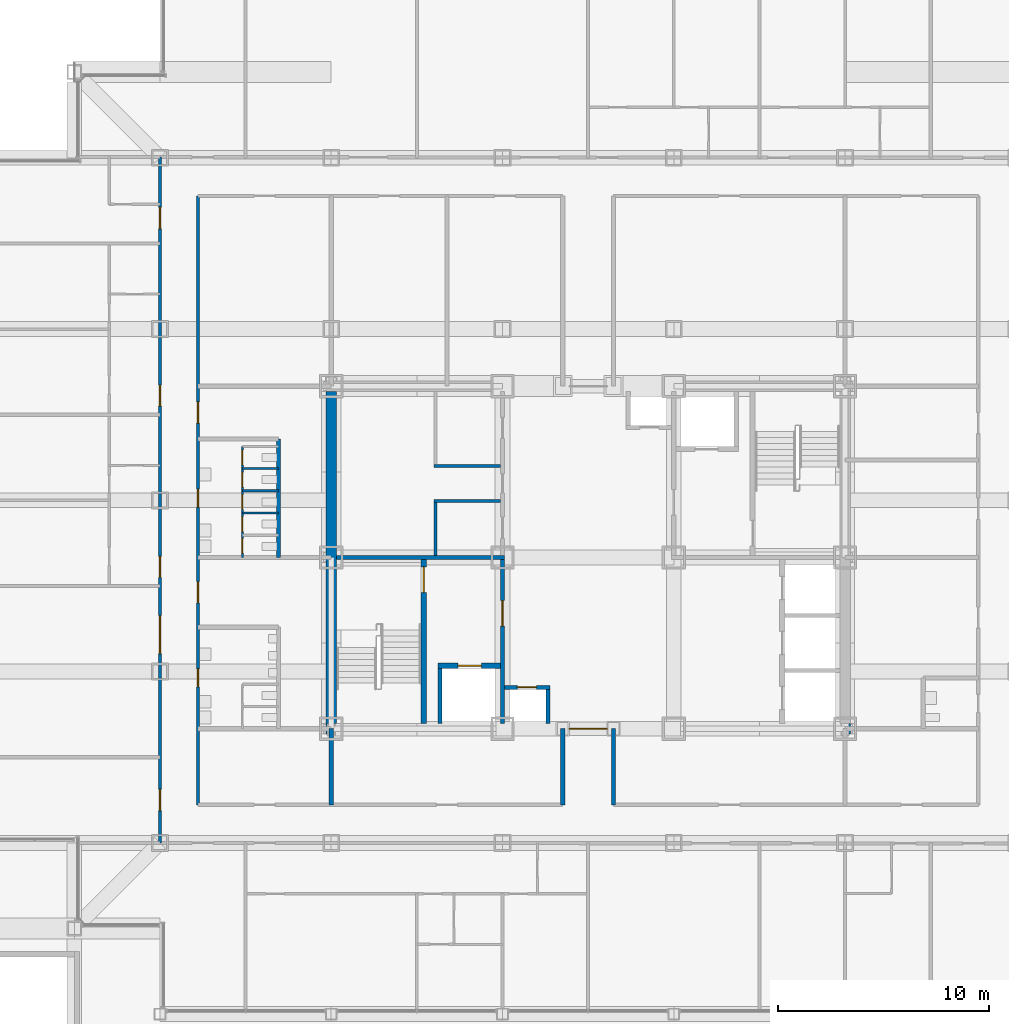
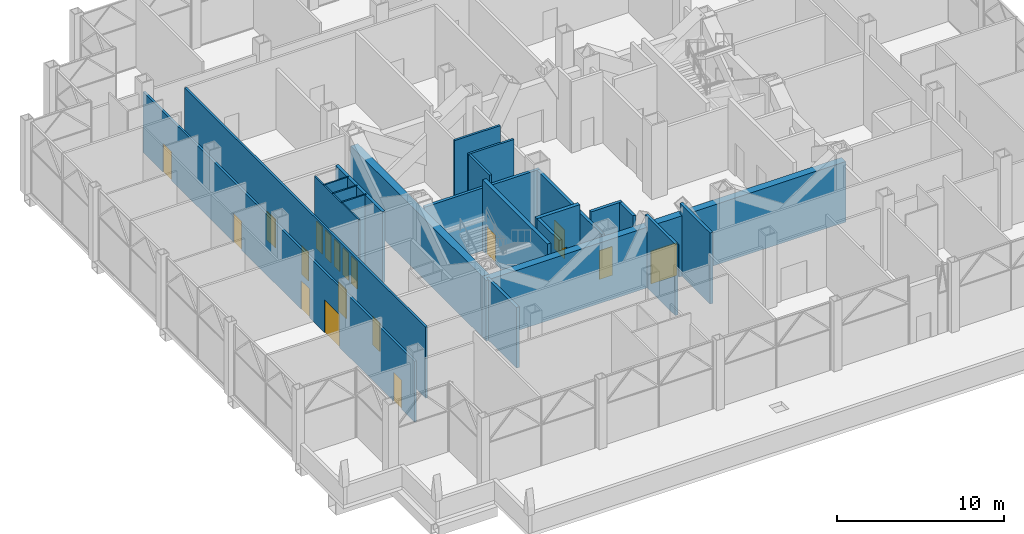
# One storey, part 22 of 29: 22 walls, 19 doors, 19 openings.
"""IFC4 building model written with IfcOpenShell, lengths in metres."""

from ifc_helpers import new_model, si_unit, direction, frame, frame_2d, origin, place, context, subcontext, project, spatial, rectangle, extrude, material, layer, layer_set, type_object, element, fill, save


model = new_model("IFC4")

# Units and contexts
model_context = context("Model", 3, precision=1e-05, world=origin(), true_north=direction((0.0, 1.0)))
body_context = subcontext(model_context, "Body", "Model", "MODEL_VIEW")
ifc_project = project(units=[si_unit("LENGTHUNIT", "METRE"), si_unit("AREAUNIT", "SQUARE_METRE"), si_unit("VOLUMEUNIT", "CUBIC_METRE"), si_unit("PLANEANGLEUNIT", "RADIAN"), si_unit("MASSUNIT", "GRAM", prefix="KILO")], contexts=[model_context])

# Site, building, storey
site_placement = place(None, origin())
site = spatial("IfcSite", under=ifc_project, at=site_placement, CompositionType="ELEMENT")
building_placement = place(site_placement, origin())
building = spatial("IfcBuilding", under=site, at=building_placement, Name="Kopane Lantern Tower", CompositionType="ELEMENT")
storey_placement = place(building_placement, frame((0.0, 0.0, 165.0)))
storey = spatial("IfcBuildingStorey", under=building, at=storey_placement, Name="L42", CompositionType="ELEMENT", Elevation=165.0)

# Wall, openings, doors
ifc_material_1 = material(Name="Moisture-resistant board on steel studs", Category="steel")
ifc_layer_1 = layer(ifc_material_1, 0.10009765625)
ifc_layer_set_1 = layer_set([ifc_layer_1], Name="BATHROOM WALL 100")
wall_type_1 = type_object("IfcWallType", Name="BATHROOM WALL 100", PredefinedType="PARTITIONING", material=ifc_layer_set_1)
wall_1_placement = place(storey_placement, frame((12.0, 32.39990234375, 0.0), z_axis=(0.0, 0.0, 1.0), x_axis=(0.0, 1.0, 0.0)))
wall_1 = element("IfcWall", 1, at=wall_1_placement, inside=storey, type_object=wall_type_1, Name="Bathroom Wall 100 L42", PredefinedType="PARTITIONING", context=body_context, shape_type="SweptSolid", body=[
    extrude(rectangle(XDim=5.25, YDim=0.10009765625, at=frame_2d((2.625, 0.0))), origin(), (0.0, 0.0, 1.0), 5.18994140625),
])
opening_1_placement = place(wall_1_placement, frame((0.199951171875, 0.0, 0.0)))
opening_1 = element("IfcOpeningElement", 2, at=opening_1_placement, cuts=wall_1, Name="Opening L42-068", PredefinedType="OPENING", context=body_context, shape_type="SweptSolid", body=[
    extrude(rectangle(XDim=0.699951171875, YDim=2.0, at=frame_2d((0.35009765625, 1.0))), frame((0.0, 0.06005859375, 0.0), z_axis=(0.0, -1.0, 0.0), x_axis=(1.0, 0.0, 0.0)), (0.0, 0.0, 1.0), 0.1201171875),
])
opening_2_placement = place(wall_1_placement, frame((1.22509765625, 0.0, 0.0)))
opening_2 = element("IfcOpeningElement", 3, at=opening_2_placement, cuts=wall_1, Name="Opening L42-069", PredefinedType="OPENING", context=body_context, shape_type="SweptSolid", body=[
    extrude(rectangle(XDim=0.699951171875, YDim=2.0, at=frame_2d((0.35009765625, 1.0))), frame((0.0, 0.06005859375, 0.0), z_axis=(0.0, -1.0, 0.0), x_axis=(1.0, 0.0, 0.0)), (0.0, 0.0, 1.0), 0.1201171875),
])
opening_3_placement = place(wall_1_placement, frame((2.27490234375, 0.0, 0.0)))
opening_3 = element("IfcOpeningElement", 4, at=opening_3_placement, cuts=wall_1, Name="Opening L42-070", PredefinedType="OPENING", context=body_context, shape_type="SweptSolid", body=[
    extrude(rectangle(XDim=0.699951171875, YDim=2.0, at=frame_2d((0.35009765625, 1.0))), frame((0.0, 0.06005859375, 0.0), z_axis=(0.0, -1.0, 0.0), x_axis=(1.0, 0.0, 0.0)), (0.0, 0.0, 1.0), 0.1201171875),
])
opening_4_placement = place(wall_1_placement, frame((3.324951171875, 0.0, 0.0)))
opening_4 = element("IfcOpeningElement", 5, at=opening_4_placement, cuts=wall_1, Name="Opening L42-071", PredefinedType="OPENING", context=body_context, shape_type="SweptSolid", body=[
    extrude(rectangle(XDim=0.699951171875, YDim=2.0, at=frame_2d((0.35009765625, 1.0))), frame((0.0, 0.06005859375, 0.0), z_axis=(0.0, -1.0, 0.0), x_axis=(1.0, 0.0, 0.0)), (0.0, 0.0, 1.0), 0.1201171875),
])
opening_5_placement = place(wall_1_placement, frame((4.375, 0.0, 0.0)))
opening_5 = element("IfcOpeningElement", 6, at=opening_5_placement, cuts=wall_1, Name="Opening L42-072", PredefinedType="OPENING", context=body_context, shape_type="SweptSolid", body=[
    extrude(rectangle(XDim=0.699951171875, YDim=2.0, at=frame_2d((0.35009765625, 1.0))), frame((0.0, 0.06005859375, 0.0), z_axis=(0.0, -1.0, 0.0), x_axis=(1.0, 0.0, 0.0)), (0.0, 0.0, 1.0), 0.1201171875),
])
ifc_material_2 = material(Name="Timber door set", Category="wood")
door_type_1 = type_object("IfcDoorType", Name="DOOR D13 700x2000 WC CUBICLE", OperationType="SINGLE_SWING_LEFT", PredefinedType="DOOR", material=ifc_material_2)
door_1_placement = place(opening_1_placement, origin())
door_1 = element("IfcDoor", 7, at=door_1_placement, inside=storey, type_object=door_type_1, Name="Door L42-068", OperationType="SINGLE_SWING_LEFT", OverallHeight=2.0, OverallWidth=0.699951171875, PredefinedType="DOOR", context=body_context, shape_type="SweptSolid", body=[
    extrude(rectangle(XDim=0.699951171875, YDim=2.0, at=frame_2d((0.35009765625, 1.0))), frame((0.0, 0.02490234375, 0.0), z_axis=(0.0, -1.0, 0.0), x_axis=(1.0, 0.0, 0.0)), (0.0, 0.0, 1.0), 0.050048828125),
])
fill(opening_1, door_1)
door_2_placement = place(opening_2_placement, origin())
door_2 = element("IfcDoor", 8, at=door_2_placement, inside=storey, type_object=door_type_1, Name="Door L42-069", OperationType="SINGLE_SWING_RIGHT", OverallHeight=2.0, OverallWidth=0.699951171875, PredefinedType="DOOR", context=body_context, shape_type="SweptSolid", body=[
    extrude(rectangle(XDim=0.699951171875, YDim=2.0, at=frame_2d((0.35009765625, 1.0))), frame((0.0, 0.02490234375, 0.0), z_axis=(0.0, -1.0, 0.0), x_axis=(1.0, 0.0, 0.0)), (0.0, 0.0, 1.0), 0.050048828125),
])
fill(opening_2, door_2)
door_3_placement = place(opening_3_placement, origin())
door_3 = element("IfcDoor", 9, at=door_3_placement, inside=storey, type_object=door_type_1, Name="Door L42-070", OperationType="SINGLE_SWING_LEFT", OverallHeight=2.0, OverallWidth=0.699951171875, PredefinedType="DOOR", context=body_context, shape_type="SweptSolid", body=[
    extrude(rectangle(XDim=0.699951171875, YDim=2.0, at=frame_2d((0.35009765625, 1.0))), frame((0.0, 0.02490234375, 0.0), z_axis=(0.0, -1.0, 0.0), x_axis=(1.0, 0.0, 0.0)), (0.0, 0.0, 1.0), 0.050048828125),
])
fill(opening_3, door_3)
door_4_placement = place(opening_4_placement, origin())
door_4 = element("IfcDoor", 10, at=door_4_placement, inside=storey, type_object=door_type_1, Name="Door L42-071", OperationType="SINGLE_SWING_RIGHT", OverallHeight=2.0, OverallWidth=0.699951171875, PredefinedType="DOOR", context=body_context, shape_type="SweptSolid", body=[
    extrude(rectangle(XDim=0.699951171875, YDim=2.0, at=frame_2d((0.35009765625, 1.0))), frame((0.0, 0.02490234375, 0.0), z_axis=(0.0, -1.0, 0.0), x_axis=(1.0, 0.0, 0.0)), (0.0, 0.0, 1.0), 0.050048828125),
])
fill(opening_4, door_4)
door_5_placement = place(opening_5_placement, origin())
door_5 = element("IfcDoor", 11, at=door_5_placement, inside=storey, type_object=door_type_1, Name="Door L42-072", OperationType="SINGLE_SWING_LEFT", OverallHeight=2.0, OverallWidth=0.699951171875, PredefinedType="DOOR", context=body_context, shape_type="SweptSolid", body=[
    extrude(rectangle(XDim=0.699951171875, YDim=2.0, at=frame_2d((0.35009765625, 1.0))), frame((0.0, 0.02490234375, 0.0), z_axis=(0.0, -1.0, 0.0), x_axis=(1.0, 0.0, 0.0)), (0.0, 0.0, 1.0), 0.050048828125),
])
fill(opening_5, door_5)

# Walls
for number, where, z_axis, x_axis, name in (
    (12, (12.0, 34.5, 0.0), (0.0, 0.0, 1.0), (1.0, 0.0, 0.0), "Bathroom Wall 100 L42"),
    (13, (12.0, 35.550048828125, 0.0), (0.0, 0.0, 1.0), (1.0, 0.0, 0.0), "Bathroom Wall 100 L42"),
    (14, (12.0, 36.60009765625, 0.0), (0.0, 0.0, 1.0), (1.0, 0.0, 0.0), "Bathroom Wall 100 L42"),
):
    element("IfcWall", number, at=place(storey_placement, frame(where, z_axis=z_axis, x_axis=x_axis)), inside=storey, type_object=wall_type_1, Name=name, PredefinedType="PARTITIONING", context=body_context, shape_type="SweptSolid", body=[
        extrude(rectangle(XDim=1.699951171875, YDim=0.10009765625, at=frame_2d((0.85009765625, 0.0))), origin(), (0.0, 0.0, 1.0), 5.18994140625),
    ])

# Wall, opening, door
ifc_material_3 = material(Name="Gypsum shaft wall EI 120", Category="gypsum")
ifc_layer_2 = layer(ifc_material_3, 0.5)
ifc_layer_set_2 = layer_set([ifc_layer_2], Name="CORE PERIMETER WALL 500 EI 120")
wall_type_2 = type_object("IfcWallType", Name="CORE PERIMETER WALL 500 EI 120", PredefinedType="SOLIDWALL", material=ifc_layer_set_2)
wall_2_placement = place(storey_placement, frame((15.949951171875, 24.300048828125, 0.0), z_axis=(0.0, 0.0, 1.0), x_axis=(1.0, 0.0, 0.0)))
wall_2 = element("IfcWall", 15, at=wall_2_placement, inside=storey, type_object=wall_type_2, Name="Core shaft wall L42 PS", PredefinedType="SOLIDWALL", context=body_context, shape_type="SweptSolid", body=[
    extrude(rectangle(XDim=24.800048828125, YDim=0.5, at=frame_2d((12.39990234375, 0.0))), origin(), (0.0, 0.0, 1.0), 4.420166015625),
])
opening_6_placement = place(wall_2_placement, frame((11.5, 0.0, 0.0)))
opening_6 = element("IfcOpeningElement", 16, at=opening_6_placement, cuts=wall_2, Name="Opening 42.CE-S", PredefinedType="OPENING", context=body_context, shape_type="SweptSolid", body=[
    extrude(rectangle(XDim=1.800048828125, YDim=2.39990234375, at=frame_2d((0.89990234375, 1.199951171875))), frame((0.0, 0.260009765625, 0.0), z_axis=(0.0, -1.0, 0.0), x_axis=(1.0, 0.0, 0.0)), (0.0, 0.0, 1.0), 0.52001953125),
])
ifc_material_4 = material(Name="Steel door set", Category="steel")
door_type_2 = type_object("IfcDoorType", Name="CORE ENTRY DOOR 1800x2400 FD60S", OperationType="DOUBLE_DOOR_SINGLE_SWING", PredefinedType="DOOR", material=ifc_material_4)
door_6_placement = place(opening_6_placement, origin())
door_6 = element("IfcDoor", 17, at=door_6_placement, inside=storey, type_object=door_type_2, Name="Core entry door L42 south", OperationType="DOUBLE_DOOR_SINGLE_SWING", OverallHeight=2.39990234375, OverallWidth=1.800048828125, PredefinedType="DOOR", context=body_context, shape_type="SweptSolid", body=[
    extrude(rectangle(XDim=1.800048828125, YDim=2.39990234375, at=frame_2d((0.89990234375, 1.199951171875))), frame((0.0, 0.02490234375, 0.0), z_axis=(0.0, -1.0, 0.0), x_axis=(1.0, 0.0, 0.0)), (0.0, 0.0, 1.0), 0.050048828125),
])
fill(opening_6, door_6)

# Walls
wall_3_placement = place(storey_placement, frame((16.199951171875, 24.550048828125, 0.0), z_axis=(0.0, 0.0, 1.0), x_axis=(0.0, 1.0, 0.0)))
element("IfcWall", 18, at=wall_3_placement, inside=storey, type_object=wall_type_2, Name="Core shaft wall L42 PW", PredefinedType="SOLIDWALL", context=body_context, shape_type="SweptSolid", body=[
    extrude(rectangle(XDim=15.699951171875, YDim=0.5, at=frame_2d((7.85009765625, 0.0))), origin(), (0.0, 0.0, 1.0), 4.420166015625),
])
ifc_material_5 = material(Name="Gypsum partition EI 60", Category="gypsum")
ifc_layer_3 = layer(ifc_material_5, 0.14990234375)
ifc_layer_set_3 = layer_set([ifc_layer_3], Name="CORE ROOM PARTITION 150 EI 60")
wall_type_3 = type_object("IfcWallType", Name="CORE ROOM PARTITION 150 EI 60", PredefinedType="PARTITIONING", material=ifc_layer_set_3)
for number, where, z_axis, x_axis, name in (
    (19, (21.050048828125, 35.074951171875, 0.0), (0.0, 0.0, 1.0), (1.0, 0.0, 0.0), "Core room partition L42 WW1"),
    (20, (21.050048828125, 36.72509765625, 0.0), (0.0, 0.0, 1.0), (1.0, 0.0, 0.0), "Core room partition L42 WW2"),
):
    element("IfcWall", number, at=place(storey_placement, frame(where, z_axis=z_axis, x_axis=x_axis)), inside=storey, type_object=wall_type_3, Name=name, PredefinedType="PARTITIONING", context=body_context, shape_type="SweptSolid", body=[
        extrude(rectangle(XDim=3.14990234375, YDim=0.14990234375, at=frame_2d((1.574951171875, 0.0))), origin(), (0.0, 0.0, 1.0), 5.18994140625),
    ])
wall_4_placement = place(storey_placement, frame((21.125, 32.5, 0.0), z_axis=(0.0, 0.0, 1.0), x_axis=(0.0, 1.0, 0.0)))
element("IfcWall", 21, at=wall_4_placement, inside=storey, type_object=wall_type_3, Name="Core room partition L42 WWB0", PredefinedType="PARTITIONING", context=body_context, shape_type="SweptSolid", body=[
    extrude(rectangle(XDim=2.5, YDim=0.14990234375, at=frame_2d((1.25, 0.0))), origin(), (0.0, 0.0, 1.0), 5.18994140625),
])

# Wall, opening, door
ifc_material_6 = material(Name="Gypsum shaft wall EI 120", Category="gypsum")
ifc_layer_4 = layer(ifc_material_6, 0.25)
ifc_layer_set_4 = layer_set([ifc_layer_4], Name="CORE SHAFT WALL 250 EI 120")
wall_type_4 = type_object("IfcWallType", Name="CORE SHAFT WALL 250 EI 120", PredefinedType="SOLIDWALL", material=ifc_layer_set_4)
wall_5_placement = place(storey_placement, frame((20.574951171875, 24.550048828125, 0.0), z_axis=(0.0, 0.0, 1.0), x_axis=(0.0, 1.0, 0.0)))
wall_5 = element("IfcWall", 22, at=wall_5_placement, inside=storey, type_object=wall_type_4, Name="Core shaft wall L42 XST1", PredefinedType="SOLIDWALL", context=body_context, shape_type="SweptSolid", body=[
    extrude(rectangle(XDim=7.75, YDim=0.25, at=frame_2d((3.875, 0.0))), origin(), (0.0, 0.0, 1.0), 5.18994140625),
])
opening_7_placement = place(wall_5_placement, frame((6.199951171875, 0.0, 0.0)))
opening_7 = element("IfcOpeningElement", 23, at=opening_7_placement, cuts=wall_5, Name="Opening 42.SD1", PredefinedType="OPENING", context=body_context, shape_type="SweptSolid", body=[
    extrude(rectangle(XDim=1.199951171875, YDim=2.10009765625, at=frame_2d((0.60009765625, 1.050048828125))), frame((0.0, 0.135009765625, 0.0), z_axis=(0.0, -1.0, 0.0), x_axis=(1.0, 0.0, 0.0)), (0.0, 0.0, 1.0), 0.27001953125),
])
ifc_material_7 = material(Name="Steel door set", Category="steel")
door_type_3 = type_object("IfcDoorType", Name="STAIR DOOR 1200x2100 FD60S", OperationType="SINGLE_SWING_LEFT", PredefinedType="DOOR", material=ifc_material_7)
door_7_placement = place(opening_7_placement, origin())
door_7 = element("IfcDoor", 24, at=door_7_placement, inside=storey, type_object=door_type_3, Name="Stair door ST1 L42", OperationType="SINGLE_SWING_LEFT", OverallHeight=2.10009765625, OverallWidth=1.199951171875, PredefinedType="DOOR", context=body_context, shape_type="SweptSolid", body=[
    extrude(rectangle(XDim=1.199951171875, YDim=2.10009765625, at=frame_2d((0.60009765625, 1.050048828125))), frame((0.0, 0.02490234375, 0.0), z_axis=(0.0, -1.0, 0.0), x_axis=(1.0, 0.0, 0.0)), (0.0, 0.0, 1.0), 0.050048828125),
])
fill(opening_7, door_7)

wall_6_placement = place(storey_placement, frame((21.25, 27.27490234375, 0.0), z_axis=(0.0, 0.0, 1.0), x_axis=(1.0, 0.0, 0.0)))
wall_6 = element("IfcWall", 25, at=wall_6_placement, inside=storey, type_object=wall_type_4, Name="Core shaft wall L42 YLF1", PredefinedType="SOLIDWALL", context=body_context, shape_type="SweptSolid", body=[
    extrude(rectangle(XDim=2.949951171875, YDim=0.25, at=frame_2d((1.47509765625, 0.0))), origin(), (0.0, 0.0, 1.0), 5.18994140625),
])
opening_8_placement = place(wall_6_placement, frame((0.949951171875, 0.0, 0.0)))
opening_8 = element("IfcOpeningElement", 26, at=opening_8_placement, cuts=wall_6, Name="Opening 42.LD-LF1", PredefinedType="OPENING", context=body_context, shape_type="SweptSolid", body=[
    extrude(rectangle(XDim=1.10009765625, YDim=2.39990234375, at=frame_2d((0.550048828125, 1.199951171875))), frame((0.0, 0.135009765625, 0.0), z_axis=(0.0, -1.0, 0.0), x_axis=(1.0, 0.0, 0.0)), (0.0, 0.0, 1.0), 0.27001953125),
])
ifc_material_8 = material(Name="Steel door set", Category="steel")
door_type_4 = type_object("IfcDoorType", Name="LIFT LANDING DOOR 1100x2400 FD60", OperationType="DOUBLE_DOOR_SLIDING", PredefinedType="DOOR", material=ifc_material_8)
door_8_placement = place(opening_8_placement, origin())
door_8 = element("IfcDoor", 27, at=door_8_placement, inside=storey, type_object=door_type_4, Name="Landing door LF1 L42", OperationType="DOUBLE_DOOR_SLIDING", OverallHeight=2.39990234375, OverallWidth=1.10009765625, PredefinedType="DOOR", context=body_context, shape_type="SweptSolid", body=[
    extrude(rectangle(XDim=1.10009765625, YDim=2.39990234375, at=frame_2d((0.550048828125, 1.199951171875))), frame((0.0, 0.02490234375, 0.0), z_axis=(0.0, -1.0, 0.0), x_axis=(1.0, 0.0, 0.0)), (0.0, 0.0, 1.0), 0.050048828125),
])
fill(opening_8, door_8)

# Wall, openings, doors
ifc_material_9 = material(Name="Gypsum board on steel studs", Category="steel")
ifc_layer_5 = layer(ifc_material_9, 0.14990234375)
ifc_layer_set_5 = layer_set([ifc_layer_5], Name="CORRIDOR WALL 150 EI 60")
wall_type_5 = type_object("IfcWallType", Name="CORRIDOR WALL 150 EI 60", PredefinedType="PARTITIONING", material=ifc_layer_set_5)
wall_7_placement = place(storey_placement, frame((8.10009765625, 18.89990234375, 0.0), z_axis=(0.0, 0.0, 1.0), x_axis=(0.0, 1.0, 0.0)))
wall_7 = element("IfcWall", 28, at=wall_7_placement, inside=storey, type_object=wall_type_5, Name="Corridor Wall 150 Ei 60 L42", PredefinedType="PARTITIONING", context=body_context, shape_type="SweptSolid", body=[
    extrude(rectangle(XDim=32.43017578125, YDim=0.14990234375, at=frame_2d((16.215087890625, 0.0))), origin(), (0.0, 0.0, 1.0), 4.420166015625),
])
opening_9_placement = place(wall_7_placement, frame((1.52490234375, 0.0, 0.0)))
opening_9 = element("IfcOpeningElement", 29, at=opening_9_placement, cuts=wall_7, Name="Opening L42-038", PredefinedType="OPENING", context=body_context, shape_type="SweptSolid", body=[
    extrude(rectangle(XDim=1.0, YDim=2.10009765625, at=frame_2d((0.5, 1.050048828125))), frame((0.0, 0.0849609375, 0.0), z_axis=(0.0, -1.0, 0.0), x_axis=(1.0, 0.0, 0.0)), (0.0, 0.0, 1.0), 0.169921875),
])
opening_10_placement = place(wall_7_placement, frame((8.949951171875, 0.0, 0.0)))
opening_10 = element("IfcOpeningElement", 30, at=opening_10_placement, cuts=wall_7, Name="Opening L42-039", PredefinedType="OPENING", context=body_context, shape_type="SweptSolid", body=[
    extrude(rectangle(XDim=1.800048828125, YDim=2.39990234375, at=frame_2d((0.89990234375, 1.199951171875))), frame((0.0, 0.0849609375, 0.0), z_axis=(0.0, -1.0, 0.0), x_axis=(1.0, 0.0, 0.0)), (0.0, 0.0, 1.0), 0.169921875),
])
opening_11_placement = place(wall_7_placement, frame((12.550048828125, 0.0, 0.0)))
opening_11 = element("IfcOpeningElement", 31, at=opening_11_placement, cuts=wall_7, Name="Opening L42-041", PredefinedType="OPENING", context=body_context, shape_type="SweptSolid", body=[
    extrude(rectangle(XDim=1.0, YDim=2.10009765625, at=frame_2d((0.5, 1.050048828125))), frame((0.0, 0.0849609375, 0.0), z_axis=(0.0, -1.0, 0.0), x_axis=(1.0, 0.0, 0.0)), (0.0, 0.0, 1.0), 0.169921875),
])
opening_12_placement = place(wall_7_placement, frame((20.64990234375, 0.0, 0.0)))
opening_12 = element("IfcOpeningElement", 32, at=opening_12_placement, cuts=wall_7, Name="Opening L42-045", PredefinedType="OPENING", context=body_context, shape_type="SweptSolid", body=[
    extrude(rectangle(XDim=1.0, YDim=2.10009765625, at=frame_2d((0.5, 1.050048828125))), frame((0.0, 0.0849609375, 0.0), z_axis=(0.0, -1.0, 0.0), x_axis=(1.0, 0.0, 0.0)), (0.0, 0.0, 1.0), 0.169921875),
])
opening_13_placement = place(wall_7_placement, frame((29.050048828125, 0.0, 0.0)))
opening_13 = element("IfcOpeningElement", 33, at=opening_13_placement, cuts=wall_7, Name="Opening L42-049", PredefinedType="OPENING", context=body_context, shape_type="SweptSolid", body=[
    extrude(rectangle(XDim=1.0, YDim=2.10009765625, at=frame_2d((0.5, 1.050048828125))), frame((0.0, 0.0849609375, 0.0), z_axis=(0.0, -1.0, 0.0), x_axis=(1.0, 0.0, 0.0)), (0.0, 0.0, 1.0), 0.169921875),
])
ifc_material_10 = material(Name="Steel door set", Category="steel")
door_type_5 = type_object("IfcDoorType", Name="DOOR D3 1000x2100 FD30S", OperationType="SINGLE_SWING_LEFT", PredefinedType="DOOR", material=ifc_material_10)
door_9_placement = place(opening_11_placement, origin())
door_9 = element("IfcDoor", 34, at=door_9_placement, inside=storey, type_object=door_type_5, Name="Door L42-041", OperationType="SINGLE_SWING_LEFT", OverallHeight=2.10009765625, OverallWidth=1.0, PredefinedType="DOOR", context=body_context, shape_type="SweptSolid", body=[
    extrude(rectangle(XDim=1.0, YDim=2.10009765625, at=frame_2d((0.5, 1.050048828125))), frame((0.0, 0.02490234375, 0.0), z_axis=(0.0, -1.0, 0.0), x_axis=(1.0, 0.0, 0.0)), (0.0, 0.0, 1.0), 0.050048828125),
])
fill(opening_11, door_9)
door_10_placement = place(opening_12_placement, origin())
door_10 = element("IfcDoor", 35, at=door_10_placement, inside=storey, type_object=door_type_5, Name="Door L42-045", OperationType="SINGLE_SWING_LEFT", OverallHeight=2.10009765625, OverallWidth=1.0, PredefinedType="DOOR", context=body_context, shape_type="SweptSolid", body=[
    extrude(rectangle(XDim=1.0, YDim=2.10009765625, at=frame_2d((0.5, 1.050048828125))), frame((0.0, 0.02490234375, 0.0), z_axis=(0.0, -1.0, 0.0), x_axis=(1.0, 0.0, 0.0)), (0.0, 0.0, 1.0), 0.050048828125),
])
fill(opening_12, door_10)
door_11_placement = place(opening_13_placement, origin())
door_11 = element("IfcDoor", 36, at=door_11_placement, inside=storey, type_object=door_type_5, Name="Door L42-049", OperationType="SINGLE_SWING_RIGHT", OverallHeight=2.10009765625, OverallWidth=1.0, PredefinedType="DOOR", context=body_context, shape_type="SweptSolid", body=[
    extrude(rectangle(XDim=1.0, YDim=2.10009765625, at=frame_2d((0.5, 1.050048828125))), frame((0.0, 0.02490234375, 0.0), z_axis=(0.0, -1.0, 0.0), x_axis=(1.0, 0.0, 0.0)), (0.0, 0.0, 1.0), 0.050048828125),
])
fill(opening_13, door_11)
ifc_material_11 = material(Name="Steel door set", Category="steel")
door_type_6 = type_object("IfcDoorType", Name="DOOR D5 1000x2100 FD60", OperationType="SINGLE_SWING_LEFT", PredefinedType="DOOR", material=ifc_material_11)
door_12_placement = place(opening_9_placement, origin())
door_12 = element("IfcDoor", 37, at=door_12_placement, inside=storey, type_object=door_type_6, Name="Door L42-038", OperationType="SINGLE_SWING_LEFT", OverallHeight=2.10009765625, OverallWidth=1.0, PredefinedType="DOOR", context=body_context, shape_type="SweptSolid", body=[
    extrude(rectangle(XDim=1.0, YDim=2.10009765625, at=frame_2d((0.5, 1.050048828125))), frame((0.0, 0.02490234375, 0.0), z_axis=(0.0, -1.0, 0.0), x_axis=(1.0, 0.0, 0.0)), (0.0, 0.0, 1.0), 0.050048828125),
])
fill(opening_9, door_12)
ifc_material_12 = material(Name="Steel door set", Category="steel")
door_type_7 = type_object("IfcDoorType", Name="DOOR D6 1800x2400 FD30S", OperationType="SINGLE_SWING_LEFT", PredefinedType="DOOR", material=ifc_material_12)
door_13_placement = place(opening_10_placement, origin())
door_13 = element("IfcDoor", 38, at=door_13_placement, inside=storey, type_object=door_type_7, Name="Door L42-039", OperationType="DOUBLE_DOOR_SINGLE_SWING", OverallHeight=2.39990234375, OverallWidth=1.800048828125, PredefinedType="DOOR", context=body_context, shape_type="SweptSolid", body=[
    extrude(rectangle(XDim=1.800048828125, YDim=2.39990234375, at=frame_2d((0.89990234375, 1.199951171875))), frame((0.0, 0.02490234375, 0.0), z_axis=(0.0, -1.0, 0.0), x_axis=(1.0, 0.0, 0.0)), (0.0, 0.0, 1.0), 0.050048828125),
])
fill(opening_10, door_13)

wall_8_placement = place(storey_placement, frame((9.89990234375, 49.5, 0.0), z_axis=(0.0, 0.0, 1.0), x_axis=(0.0, -1.0, 0.0)))
wall_8 = element("IfcWall", 39, at=wall_8_placement, inside=storey, type_object=wall_type_5, Name="Corridor Wall 150 Ei 60 L42", PredefinedType="PARTITIONING", context=body_context, shape_type="SweptSolid", body=[
    extrude(rectangle(XDim=28.800048828125, YDim=0.14990234375, at=frame_2d((14.39990234375, 0.0))), origin(), (0.0, 0.0, 1.0), 5.18994140625),
])
opening_14_placement = place(wall_8_placement, frame((22.375, 0.0, 0.0)))
opening_14 = element("IfcOpeningElement", 40, at=opening_14_placement, cuts=wall_8, Name="Opening L42-001", PredefinedType="OPENING", context=body_context, shape_type="SweptSolid", body=[
    extrude(rectangle(XDim=0.85009765625, YDim=2.10009765625, at=frame_2d((0.425048828125, 1.050048828125))), frame((0.0, 0.0849609375, 0.0), z_axis=(0.0, -1.0, 0.0), x_axis=(1.0, 0.0, 0.0)), (0.0, 0.0, 1.0), 0.169921875),
])
opening_15_placement = place(wall_8_placement, frame((18.25, 0.0, 0.0)))
opening_15 = element("IfcOpeningElement", 41, at=opening_15_placement, cuts=wall_8, Name="Opening L42-002", PredefinedType="OPENING", context=body_context, shape_type="SweptSolid", body=[
    extrude(rectangle(XDim=1.0, YDim=2.10009765625, at=frame_2d((0.5, 1.050048828125))), frame((0.0, 0.0849609375, 0.0), z_axis=(0.0, -1.0, 0.0), x_axis=(1.0, 0.0, 0.0)), (0.0, 0.0, 1.0), 0.169921875),
])
opening_16_placement = place(wall_8_placement, frame((13.875, 0.0, 0.0)))
opening_16 = element("IfcOpeningElement", 42, at=opening_16_placement, cuts=wall_8, Name="Opening L42-003", PredefinedType="OPENING", context=body_context, shape_type="SweptSolid", body=[
    extrude(rectangle(XDim=0.85009765625, YDim=2.10009765625, at=frame_2d((0.425048828125, 1.050048828125))), frame((0.0, 0.0849609375, 0.0), z_axis=(0.0, -1.0, 0.0), x_axis=(1.0, 0.0, 0.0)), (0.0, 0.0, 1.0), 0.169921875),
])
opening_17_placement = place(wall_8_placement, frame((9.75, 0.0, 0.0)))
opening_17 = element("IfcOpeningElement", 43, at=opening_17_placement, cuts=wall_8, Name="Opening L42-004", PredefinedType="OPENING", context=body_context, shape_type="SweptSolid", body=[
    extrude(rectangle(XDim=1.0, YDim=2.10009765625, at=frame_2d((0.5, 1.050048828125))), frame((0.0, 0.0849609375, 0.0), z_axis=(0.0, -1.0, 0.0), x_axis=(1.0, 0.0, 0.0)), (0.0, 0.0, 1.0), 0.169921875),
])
ifc_material_13 = material(Name="Timber door set", Category="wood")
door_type_8 = type_object("IfcDoorType", Name="DOOR D4 850x2100", OperationType="SINGLE_SWING_LEFT", PredefinedType="DOOR", material=ifc_material_13)
door_14_placement = place(opening_14_placement, origin())
door_14 = element("IfcDoor", 44, at=door_14_placement, inside=storey, type_object=door_type_8, Name="Door L42-001", OperationType="SINGLE_SWING_RIGHT", OverallHeight=2.10009765625, OverallWidth=0.85009765625, PredefinedType="DOOR", context=body_context, shape_type="SweptSolid", body=[
    extrude(rectangle(XDim=0.85009765625, YDim=2.10009765625, at=frame_2d((0.425048828125, 1.050048828125))), frame((0.0, 0.02490234375, 0.0), z_axis=(0.0, -1.0, 0.0), x_axis=(1.0, 0.0, 0.0)), (0.0, 0.0, 1.0), 0.050048828125),
])
fill(opening_14, door_14)
door_15_placement = place(opening_16_placement, origin())
door_15 = element("IfcDoor", 45, at=door_15_placement, inside=storey, type_object=door_type_8, Name="Door L42-003", OperationType="SINGLE_SWING_RIGHT", OverallHeight=2.10009765625, OverallWidth=0.85009765625, PredefinedType="DOOR", context=body_context, shape_type="SweptSolid", body=[
    extrude(rectangle(XDim=0.85009765625, YDim=2.10009765625, at=frame_2d((0.425048828125, 1.050048828125))), frame((0.0, 0.02490234375, 0.0), z_axis=(0.0, -1.0, 0.0), x_axis=(1.0, 0.0, 0.0)), (0.0, 0.0, 1.0), 0.050048828125),
])
fill(opening_16, door_15)
door_16_placement = place(opening_15_placement, origin())
door_16 = element("IfcDoor", 46, at=door_16_placement, inside=storey, type_object=door_type_6, Name="Door L42-002", OperationType="SINGLE_SWING_LEFT", OverallHeight=2.10009765625, OverallWidth=1.0, PredefinedType="DOOR", context=body_context, shape_type="SweptSolid", body=[
    extrude(rectangle(XDim=1.0, YDim=2.10009765625, at=frame_2d((0.5, 1.050048828125))), frame((0.0, 0.02490234375, 0.0), z_axis=(0.0, -1.0, 0.0), x_axis=(1.0, 0.0, 0.0)), (0.0, 0.0, 1.0), 0.050048828125),
])
fill(opening_15, door_16)
door_17_placement = place(opening_17_placement, origin())
door_17 = element("IfcDoor", 47, at=door_17_placement, inside=storey, type_object=door_type_6, Name="Door L42-004", OperationType="SINGLE_SWING_LEFT", OverallHeight=2.10009765625, OverallWidth=1.0, PredefinedType="DOOR", context=body_context, shape_type="SweptSolid", body=[
    extrude(rectangle(XDim=1.0, YDim=2.10009765625, at=frame_2d((0.5, 1.050048828125))), frame((0.0, 0.02490234375, 0.0), z_axis=(0.0, -1.0, 0.0), x_axis=(1.0, 0.0, 0.0)), (0.0, 0.0, 1.0), 0.050048828125),
])
fill(opening_17, door_17)

# Walls
ifc_material_14 = material(Name="Concrete masonry", Category="masonry")
ifc_layer_6 = layer(ifc_material_14, 0.199951171875)
ifc_layer_set_6 = layer_set([ifc_layer_6], Name="PLANT ROOM WALL 200 EI 120")
wall_type_6 = type_object("IfcWallType", Name="PLANT ROOM WALL 200 EI 120", PredefinedType="SOLIDWALL", material=ifc_layer_set_6)
wall_9_placement = place(storey_placement, frame((13.699951171875, 32.39990234375, 0.0), z_axis=(0.0, 0.0, 1.0), x_axis=(0.0, 1.0, 0.0)))
element("IfcWall", 48, at=wall_9_placement, inside=storey, type_object=wall_type_6, Name="Plant Room Wall 200 Ei 120 L42", PredefinedType="SOLIDWALL", context=body_context, shape_type="SweptSolid", body=[
    extrude(rectangle(XDim=5.60009765625, YDim=0.199951171875, at=frame_2d((2.800048828125, 0.0))), origin(), (0.0, 0.0, 1.0), 5.18994140625),
])
wall_10_placement = place(storey_placement, frame((16.199951171875, 20.699951171875, 0.0), z_axis=(0.0, 0.0, 1.0), x_axis=(0.0, 1.0, 0.0)))
element("IfcWall", 49, at=wall_10_placement, inside=storey, type_object=wall_type_6, Name="Plant Room Wall 200 Ei 120 L42", PredefinedType="SOLIDWALL", context=body_context, shape_type="SweptSolid", body=[
    extrude(rectangle(XDim=3.60009765625, YDim=0.199951171875, at=frame_2d((1.800048828125, 0.0))), origin(), (0.0, 0.0, 1.0), 4.420166015625),
])
for number, where, z_axis, x_axis, name in (
    (50, (27.14990234375, 20.699951171875, 0.0), (0.0, 0.0, 1.0), (0.0, 1.0, 0.0), "Plant Room Wall 200 Ei 120 L42"),
    (51, (29.550048828125, 20.699951171875, 0.0), (0.0, 0.0, 1.0), (0.0, 1.0, 0.0), "Plant Room Wall 200 Ei 120 L42"),
):
    element("IfcWall", number, at=place(storey_placement, frame(where, z_axis=z_axis, x_axis=x_axis)), inside=storey, type_object=wall_type_6, Name=name, PredefinedType="SOLIDWALL", context=body_context, shape_type="SweptSolid", body=[
        extrude(rectangle(XDim=3.60009765625, YDim=0.199951171875, at=frame_2d((1.800048828125, 0.0))), origin(), (0.0, 0.0, 1.0), 5.18994140625),
    ])
ifc_material_15 = material(Name="Gypsum shaft wall EI 120", Category="gypsum")
ifc_layer_7 = layer(ifc_material_15, 0.199951171875)
ifc_layer_set_7 = layer_set([ifc_layer_7], Name="SHAFT WALL 200 EI 120")
wall_type_7 = type_object("IfcWallType", Name="SHAFT WALL 200 EI 120", PredefinedType="SOLIDWALL", material=ifc_layer_set_7)
wall_11_placement = place(storey_placement, frame((16.449951171875, 32.39990234375, 0.0), z_axis=(0.0, 0.0, 1.0), x_axis=(1.0, 0.0, 0.0)))
element("IfcWall", 52, at=wall_11_placement, inside=storey, type_object=wall_type_7, Name="Core shaft wall L42 Y324W", PredefinedType="SOLIDWALL", context=body_context, shape_type="SweptSolid", body=[
    extrude(rectangle(XDim=7.949951171875, YDim=0.199951171875, at=frame_2d((3.97509765625, 0.0))), origin(), (0.0, 0.0, 1.0), 4.577880859375),
])

# Wall, opening, door
wall_12_placement = place(storey_placement, frame((24.300048828125, 24.550048828125, 0.0), z_axis=(0.0, 0.0, 1.0), x_axis=(0.0, 1.0, 0.0)))
wall_12 = element("IfcWall", 53, at=wall_12_placement, inside=storey, type_object=wall_type_7, Name="Core shaft wall L42 X243", PredefinedType="SOLIDWALL", context=body_context, shape_type="SweptSolid", body=[
    extrude(rectangle(XDim=7.75, YDim=0.199951171875, at=frame_2d((3.875, 0.0))), origin(), (0.0, 0.0, 1.0), 4.577880859375),
])
opening_18_placement = place(wall_12_placement, frame((4.60009765625, 0.0, 0.0)))
opening_18 = element("IfcOpeningElement", 54, at=opening_18_placement, cuts=wall_12, Name="Opening 42.FL1", PredefinedType="OPENING", context=body_context, shape_type="SweptSolid", body=[
    extrude(rectangle(XDim=1.199951171875, YDim=2.10009765625, at=frame_2d((0.60009765625, 1.050048828125))), frame((0.0, 0.10986328125, 0.0), z_axis=(0.0, -1.0, 0.0), x_axis=(1.0, 0.0, 0.0)), (0.0, 0.0, 1.0), 0.219970703125),
])
ifc_material_16 = material(Name="Steel door set", Category="steel")
door_type_9 = type_object("IfcDoorType", Name="FIREFIGHTING LOBBY DOOR 1200x2100 FD60S", OperationType="SINGLE_SWING_RIGHT", PredefinedType="DOOR", material=ifc_material_16)
door_18_placement = place(opening_18_placement, origin())
door_18 = element("IfcDoor", 55, at=door_18_placement, inside=storey, type_object=door_type_9, Name="Firefighting lobby door FL1 L42", OperationType="SINGLE_SWING_LEFT", OverallHeight=2.10009765625, OverallWidth=1.199951171875, PredefinedType="DOOR", context=body_context, shape_type="SweptSolid", body=[
    extrude(rectangle(XDim=1.199951171875, YDim=2.10009765625, at=frame_2d((0.60009765625, 1.050048828125))), frame((0.0, 0.02490234375, 0.0), z_axis=(0.0, -1.0, 0.0), x_axis=(1.0, 0.0, 0.0)), (0.0, 0.0, 1.0), 0.050048828125),
])
fill(opening_18, door_18)

# Walls
wall_13_placement = place(storey_placement, frame((21.35009765625, 24.550048828125, 0.0), z_axis=(0.0, 0.0, 1.0), x_axis=(0.0, 1.0, 0.0)))
element("IfcWall", 56, at=wall_13_placement, inside=storey, type_object=wall_type_7, Name="Core shaft wall L42 XLF1", PredefinedType="SOLIDWALL", context=body_context, shape_type="SweptSolid", body=[
    extrude(rectangle(XDim=2.599853515625, YDim=0.199951171875, at=frame_2d((1.2998046875, 0.0))), origin(), (0.0, 0.0, 1.0), 5.18994140625),
])
wall_14_placement = place(storey_placement, frame((26.449951171875, 24.550048828125, 0.0), z_axis=(0.0, 0.0, 1.0), x_axis=(0.0, 1.0, 0.0)))
element("IfcWall", 57, at=wall_14_placement, inside=storey, type_object=wall_type_7, Name="Core shaft wall L42 XRS1", PredefinedType="SOLIDWALL", context=body_context, shape_type="SweptSolid", body=[
    extrude(rectangle(XDim=1.599853515625, YDim=0.199951171875, at=frame_2d((0.7998046875, 0.0))), origin(), (0.0, 0.0, 1.0), 5.18994140625),
])

# Wall, opening, door
wall_15_placement = place(storey_placement, frame((24.39990234375, 26.25, 0.0), z_axis=(0.0, 0.0, 1.0), x_axis=(1.0, 0.0, 0.0)))
wall_15 = element("IfcWall", 58, at=wall_15_placement, inside=storey, type_object=wall_type_7, Name="Core shaft wall L42 YRS1", PredefinedType="SOLIDWALL", context=body_context, shape_type="SweptSolid", body=[
    extrude(rectangle(XDim=2.150146484375, YDim=0.199951171875, at=frame_2d((1.0751953125, 0.0))), origin(), (0.0, 0.0, 1.0), 5.18994140625),
])
opening_19_placement = place(wall_15_placement, frame((0.60009765625, 0.0, 0.0)))
opening_19 = element("IfcOpeningElement", 59, at=opening_19_placement, cuts=wall_15, Name="Opening 42.RS1", PredefinedType="OPENING", context=body_context, shape_type="SweptSolid", body=[
    extrude(rectangle(XDim=0.89990234375, YDim=2.10009765625, at=frame_2d((0.449951171875, 1.050048828125))), frame((0.0, 0.10986328125, 0.0), z_axis=(0.0, -1.0, 0.0), x_axis=(1.0, 0.0, 0.0)), (0.0, 0.0, 1.0), 0.219970703125),
])
ifc_material_17 = material(Name="Steel door set", Category="steel")
door_type_10 = type_object("IfcDoorType", Name="RISER ACCESS DOOR 900x2100 FD60", OperationType="SINGLE_SWING_LEFT", PredefinedType="DOOR", material=ifc_material_17)
door_19_placement = place(opening_19_placement, origin())
door_19 = element("IfcDoor", 60, at=door_19_placement, inside=storey, type_object=door_type_10, Name="Riser access door RS1 L42", OperationType="SINGLE_SWING_LEFT", OverallHeight=2.10009765625, OverallWidth=0.89990234375, PredefinedType="DOOR", context=body_context, shape_type="SweptSolid", body=[
    extrude(rectangle(XDim=0.89990234375, YDim=2.10009765625, at=frame_2d((0.449951171875, 1.050048828125))), frame((0.0, 0.02490234375, 0.0), z_axis=(0.0, -1.0, 0.0), x_axis=(1.0, 0.0, 0.0)), (0.0, 0.0, 1.0), 0.050048828125),
])
fill(opening_19, door_19)

save(model, "model.ifc")
